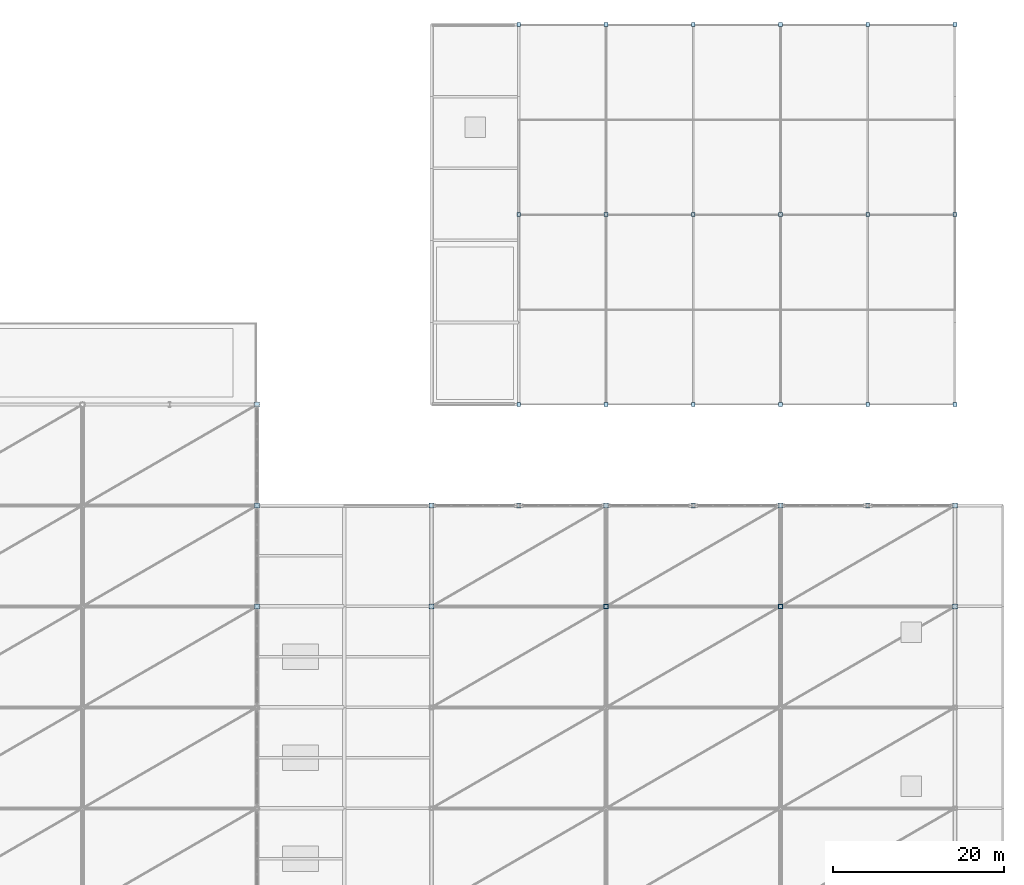
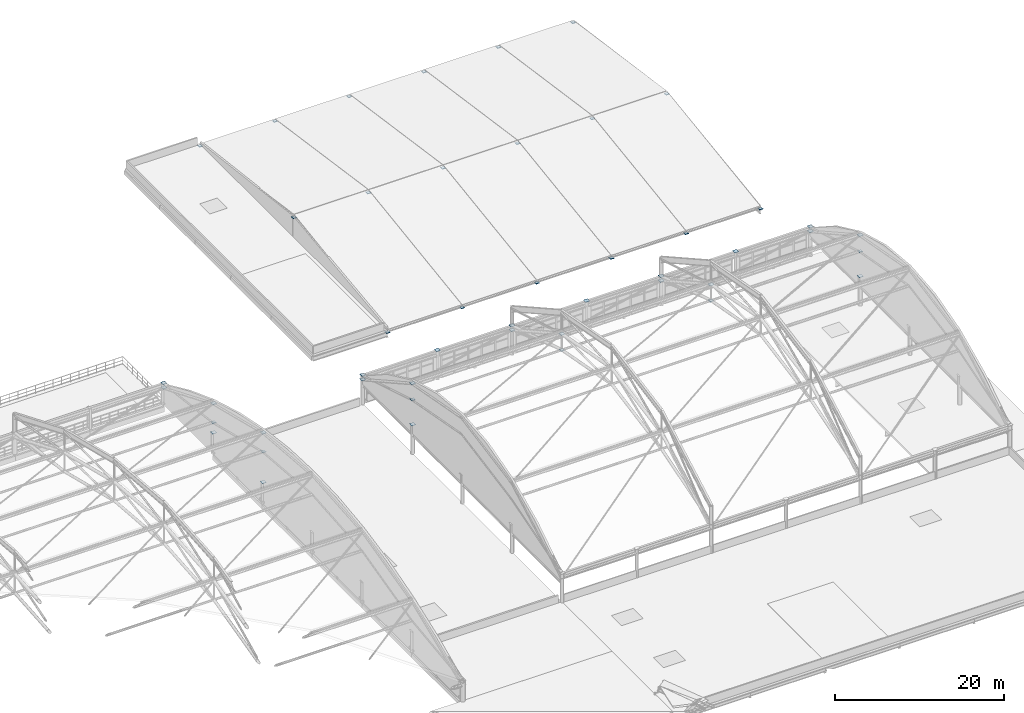
# One storey, part 120 of 135: 47 plates.
"""IFC4 building model written with IfcOpenShell, lengths in metres."""

from ifc_helpers import new_model, si_unit, direction, frame, origin, origin_2d, place, context, subcontext, project, spatial, rectangle, extrude, material, layer, layer_set, type_object, element, save


model = new_model("IFC4")

# Units and contexts
model_context = context("Model", 3, precision=1e-05, world=origin(), true_north=direction((0.0, 1.0)))
body_context = subcontext(model_context, "Body", "Model", "MODEL_VIEW")
ifc_project = project(units=[si_unit("LENGTHUNIT", "METRE"), si_unit("AREAUNIT", "SQUARE_METRE"), si_unit("VOLUMEUNIT", "CUBIC_METRE"), si_unit("PLANEANGLEUNIT", "RADIAN"), si_unit("MASSUNIT", "GRAM", prefix="KILO")], contexts=[model_context])

# Site, building, storey
site_placement = place(None, origin())
site = spatial("IfcSite", under=ifc_project, at=site_placement, CompositionType="ELEMENT")
building_placement = place(site_placement, origin())
building = spatial("IfcBuilding", under=site, at=building_placement, Name="Brelvane Convention Centre", CompositionType="ELEMENT")
storey_placement = place(building_placement, frame((0.0, 0.0, 15.0)))
storey = spatial("IfcBuildingStorey", under=building, at=storey_placement, Name="L03", CompositionType="ELEMENT", Elevation=15.0)

# Plates
ifc_material_1 = material(Name="Steel E450 (450 MPa)", Category="steel")
ifc_layer_1 = layer(ifc_material_1, 0.031982421875)
ifc_layer_set_1 = layer_set([ifc_layer_1], Name="Steel E450 (450 MPa)")
plate_type_1 = type_object("IfcPlateType", Name="Steel Node Gusset Plate ND-1", PredefinedType="SHEET", material=ifc_layer_set_1)
for number, where, z_axis, x_axis, name in (
    (1, (142.800048828125, 76.0, 2.98388671875), (0.0, 0.0, 1.0), (1.0, 0.0, 0.0), "Column Head Node Plate 15-H"),
    (2, (142.800048828125, 87.800048828125, 2.98388671875), (0.0, 0.0, 1.0), (1.0, 0.0, 0.0), "Column Head Node Plate 15-J"),
    (3, (142.800048828125, 99.60009765625, 2.98388671875), (0.0, 0.0, 1.0), (1.0, 0.0, 0.0), "Column Head Node Plate 15-K"),
    (4, (163.199951171875, 76.0, 4.18408203125), (0.0, 0.0, 1.0), (1.0, 0.0, 0.0), "Column Head Node Plate 17-H"),
    (5, (163.199951171875, 87.800048828125, 4.18408203125), (0.0, 0.0, 1.0), (1.0, 0.0, 0.0), "Column Head Node Plate 17-J"),
    (6, (173.39990234375, 87.800048828125, 4.18408203125), (0.0, 0.0, 1.0), (1.0, 0.0, 0.0), "Column Head Node Plate 18-J"),
    (7, (183.60009765625, 87.800048828125, 4.18408203125), (0.0, 0.0, 1.0), (1.0, 0.0, 0.0), "Column Head Node Plate 19-J"),
    (8, (193.800048828125, 87.800048828125, 4.18408203125), (0.0, 0.0, 1.0), (1.0, 0.0, 0.0), "Column Head Node Plate 20-J"),
    (9, (204.0, 87.800048828125, 4.18408203125), (0.0, 0.0, 1.0), (1.0, 0.0, 0.0), "Column Head Node Plate 21-J"),
    (10, (214.199951171875, 87.800048828125, 4.18408203125), (0.0, 0.0, 1.0), (1.0, 0.0, 0.0), "Column Head Node Plate 22-J"),
    (11, (224.39990234375, 76.0, 4.18408203125), (0.0, 0.0, 1.0), (1.0, 0.0, 0.0), "Column Head Node Plate 23-H"),
    (12, (224.39990234375, 87.800048828125, 4.18408203125), (0.0, 0.0, 1.0), (1.0, 0.0, 0.0), "Column Head Node Plate 23-J"),
    (13, (142.800048828125, 76.0, 10.14599609375), (0.0, 0.0, 1.0), (1.0, 0.0, 0.0), "SF_EXH Top Node Plate 8.4"),
    (14, (142.800048828125, 87.800048828125, 7.212890625), (0.0, 0.0, 1.0), (1.0, 0.0, 0.0), "SF_EXH Top Node Plate 8.5"),
    (15, (142.800048828125, 99.60009765625, 2.32421875), (0.0, 0.0, 1.0), (1.0, 0.0, 0.0), "SF_EXH Eaves Node Plate 8-N"),
    (16, (163.199951171875, 76.0, 10.1240234375), (0.0, 0.0, 1.0), (1.0, 0.0, 0.0), "SF_PLEN Top Node Plate 1.3"),
    (17, (163.199951171875, 87.800048828125, 3.52392578125), (0.0, 0.0, 1.0), (1.0, 0.0, 0.0), "SF_PLEN Eaves Node Plate 1-N"),
    (18, (183.60009765625, 76.0, 10.1240234375), (0.0, 0.0, 1.0), (1.0, 0.0, 0.0), "SF_PLEN Top Node Plate 2.3"),
    (19, (183.60009765625, 87.800048828125, 3.52392578125), (0.0, 0.0, 1.0), (1.0, 0.0, 0.0), "SF_PLEN Eaves Node Plate 2-N"),
    (20, (204.0, 76.0, 10.1240234375), (0.0, 0.0, 1.0), (1.0, 0.0, 0.0), "SF_PLEN Top Node Plate 3.3"),
    (21, (204.0, 87.800048828125, 3.52392578125), (0.0, 0.0, 1.0), (1.0, 0.0, 0.0), "SF_PLEN Eaves Node Plate 3-N"),
    (22, (224.39990234375, 76.0, 10.1240234375), (0.0, 0.0, 1.0), (1.0, 0.0, 0.0), "SF_PLEN Top Node Plate 4.3"),
    (23, (224.39990234375, 87.800048828125, 3.52392578125), (0.0, 0.0, 1.0), (1.0, 0.0, 0.0), "SF_PLEN Eaves Node Plate 4-N"),
):
    element("IfcPlate", number, at=place(storey_placement, frame(where, z_axis=z_axis, x_axis=x_axis)), inside=storey, type_object=plate_type_1, Name=name, PredefinedType="SHEET", context=body_context, shape_type="SweptSolid", body=[
        extrude(rectangle(XDim=0.56005859375, YDim=0.56005859375, at=origin_2d()), origin(), (0.0, 0.0, 1.0), 0.031982421875),
    ])
ifc_material_2 = material(Name="Steel E450 (450 MPa)", Category="steel")
ifc_layer_2 = layer(ifc_material_2, 0.028076171875)
ifc_layer_set_2 = layer_set([ifc_layer_2], Name="Steel E450 (450 MPa)")
plate_type_2 = type_object("IfcPlateType", Name="Steel Node Gusset Plate ND-2", PredefinedType="SHEET", material=ifc_layer_set_2)
for number, where, z_axis, x_axis, name in (
    (24, (142.800048828125, 76.0, 7.408203125), (0.0, 0.0, 1.0), (1.0, 0.0, 0.0), "SF_EXH Bottom Node Plate 8.4"),
    (25, (142.800048828125, 87.800048828125, 4.47509765625), (0.0, 0.0, 1.0), (1.0, 0.0, 0.0), "SF_EXH Bottom Node Plate 8.5"),
    (26, (163.199951171875, 76.0, 7.7861328125), (0.0, 0.0, 1.0), (1.0, 0.0, 0.0), "SF_PLEN Bottom Node Plate 1.3"),
    (27, (183.60009765625, 76.0, 7.7861328125), (0.0, 0.0, 1.0), (1.0, 0.0, 0.0), "SF_PLEN Bottom Node Plate 2.3"),
    (28, (204.0, 76.0, 7.7861328125), (0.0, 0.0, 1.0), (1.0, 0.0, 0.0), "SF_PLEN Bottom Node Plate 3.3"),
    (29, (224.39990234375, 76.0, 7.7861328125), (0.0, 0.0, 1.0), (1.0, 0.0, 0.0), "SF_PLEN Bottom Node Plate 4.3"),
    (30, (173.39990234375, 99.60009765625, -0.3642578125), (0.0, 0.0, 1.0), (1.0, 0.0, 0.0), "Ballroom Truss Node Plate 1-S"),
    (31, (173.39990234375, 121.800048828125, 2.76611328125), (0.0, 0.0, 1.0), (1.0, 0.0, 0.0), "Ballroom Truss Node Plate 1-M"),
    (32, (173.39990234375, 144.0, -0.3642578125), (0.0, 0.0, 1.0), (1.0, 0.0, 0.0), "Ballroom Truss Node Plate 1-N"),
    (33, (183.60009765625, 99.60009765625, -0.3642578125), (0.0, 0.0, 1.0), (1.0, 0.0, 0.0), "Ballroom Truss Node Plate 2-S"),
    (34, (183.60009765625, 121.800048828125, 2.76611328125), (0.0, 0.0, 1.0), (1.0, 0.0, 0.0), "Ballroom Truss Node Plate 2-M"),
    (35, (183.60009765625, 144.0, -0.3642578125), (0.0, 0.0, 1.0), (1.0, 0.0, 0.0), "Ballroom Truss Node Plate 2-N"),
    (36, (193.800048828125, 99.60009765625, -0.3642578125), (0.0, 0.0, 1.0), (1.0, 0.0, 0.0), "Ballroom Truss Node Plate 3-S"),
    (37, (193.800048828125, 121.800048828125, 2.76611328125), (0.0, 0.0, 1.0), (1.0, 0.0, 0.0), "Ballroom Truss Node Plate 3-M"),
    (38, (193.800048828125, 144.0, -0.3642578125), (0.0, 0.0, 1.0), (1.0, 0.0, 0.0), "Ballroom Truss Node Plate 3-N"),
    (39, (204.0, 99.60009765625, -0.3642578125), (0.0, 0.0, 1.0), (1.0, 0.0, 0.0), "Ballroom Truss Node Plate 4-S"),
    (40, (204.0, 121.800048828125, 2.76611328125), (0.0, 0.0, 1.0), (1.0, 0.0, 0.0), "Ballroom Truss Node Plate 4-M"),
    (41, (204.0, 144.0, -0.3642578125), (0.0, 0.0, 1.0), (1.0, 0.0, 0.0), "Ballroom Truss Node Plate 4-N"),
    (42, (214.199951171875, 99.60009765625, -0.3642578125), (0.0, 0.0, 1.0), (1.0, 0.0, 0.0), "Ballroom Truss Node Plate 5-S"),
    (43, (214.199951171875, 121.800048828125, 2.76611328125), (0.0, 0.0, 1.0), (1.0, 0.0, 0.0), "Ballroom Truss Node Plate 5-M"),
    (44, (214.199951171875, 144.0, -0.3642578125), (0.0, 0.0, 1.0), (1.0, 0.0, 0.0), "Ballroom Truss Node Plate 5-N"),
    (45, (224.39990234375, 99.60009765625, -0.3642578125), (0.0, 0.0, 1.0), (1.0, 0.0, 0.0), "Ballroom Truss Node Plate 6-S"),
    (46, (224.39990234375, 121.800048828125, 2.76611328125), (0.0, 0.0, 1.0), (1.0, 0.0, 0.0), "Ballroom Truss Node Plate 6-M"),
    (47, (224.39990234375, 144.0, -0.3642578125), (0.0, 0.0, 1.0), (1.0, 0.0, 0.0), "Ballroom Truss Node Plate 6-N"),
):
    element("IfcPlate", number, at=place(storey_placement, frame(where, z_axis=z_axis, x_axis=x_axis)), inside=storey, type_object=plate_type_2, Name=name, PredefinedType="SHEET", context=body_context, shape_type="SweptSolid", body=[
        extrude(rectangle(XDim=0.4599609375, YDim=0.4599609375, at=origin_2d()), origin(), (0.0, 0.0, 1.0), 0.028076171875),
    ])

save(model, "model.ifc")
